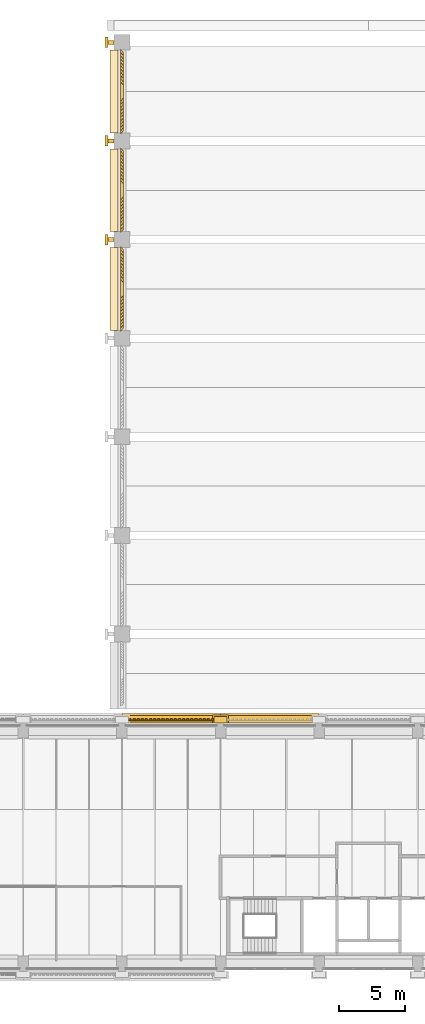
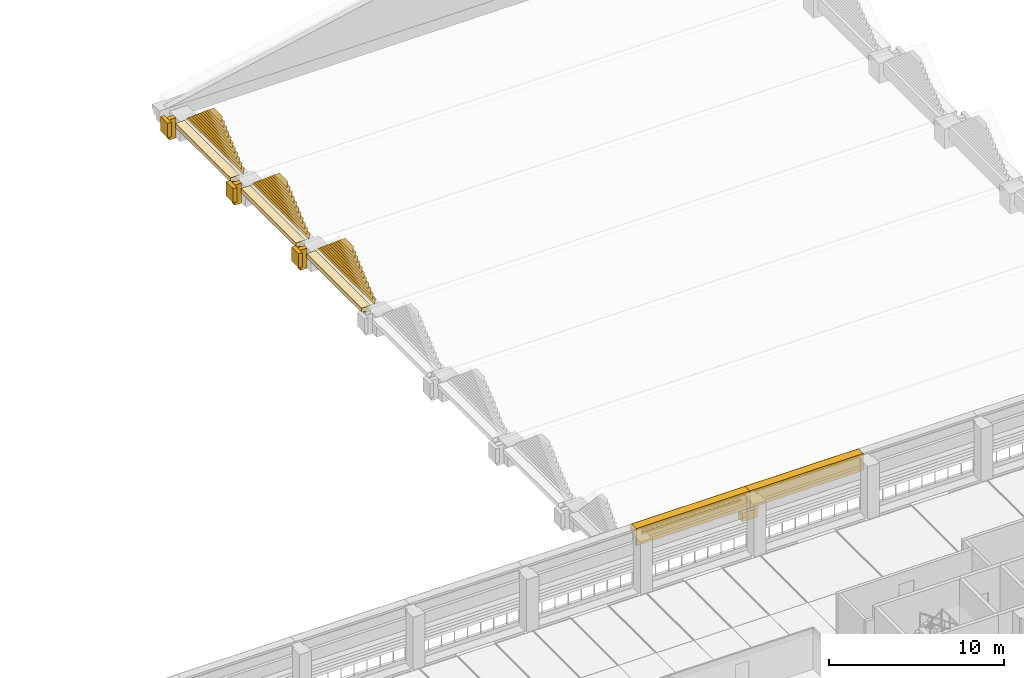
# One storey, part 53 of 71: 33 shading devices, 14 coverings.
"""IFC4 building model written with IfcOpenShell, lengths in metres."""

from ifc_helpers import new_model, si_unit, direction, frame, origin, place, context, subcontext, project, spatial, polyline, outline, extrude, material, layer, layer_set, type_object, element, save


model = new_model("IFC4")

# Units and contexts
model_context = context("Model", 3, precision=1e-05, world=origin(), true_north=direction((0.0, 1.0)))
body_context = subcontext(model_context, "Body", "Model", "MODEL_VIEW")
ifc_project = project(units=[si_unit("LENGTHUNIT", "METRE"), si_unit("AREAUNIT", "SQUARE_METRE"), si_unit("VOLUMEUNIT", "CUBIC_METRE"), si_unit("PLANEANGLEUNIT", "RADIAN"), si_unit("MASSUNIT", "GRAM", prefix="KILO")], contexts=[model_context])

# Site, building, storey
site_placement = place(None, origin())
site = spatial("IfcSite", under=ifc_project, at=site_placement, CompositionType="ELEMENT")
building_placement = place(site_placement, origin())
building = spatial("IfcBuilding", under=site, at=building_placement, Name="Cour d'Honneur Mobility Palace", CompositionType="ELEMENT")
storey_placement = place(building_placement, frame((0.0, 0.0, 15.60009765625)))
storey = spatial("IfcBuildingStorey", under=building, at=storey_placement, Name="L04", CompositionType="ELEMENT", Elevation=15.60009765625)

# Coverings
ifc_material_1 = material(Name="Cast limestone", Category="masonry")
ifc_layer_1 = layer(ifc_material_1, 0.14990234375)
ifc_layer_set_1 = layer_set([ifc_layer_1], Name="Cast limestone")
covering_type_1 = type_object("IfcCoveringType", Name="Dentil course", PredefinedType="CLADDING", material=ifc_layer_set_1)
covering_1_placement = place(storey_placement, frame((0.0, 0.0, 3.14990234375)))
element("IfcCovering", 1, at=covering_1_placement, inside=storey, type_object=covering_type_1, Name="Dentil course DC-105", PredefinedType="CLADDING", context=body_context, shape_type="SweptSolid", body=[
    extrude(outline(polyline([(69.449951171875, 63.300048828125), (62.85009765625, 63.300048828125), (62.85009765625, 63.330078125), (62.85009765625, 63.330078125), (62.928466796875, 63.330078125), (62.928466796875, 63.449951171875), (63.085693359375, 63.449951171875), (63.085693359375, 63.330078125), (63.164306640625, 63.330078125), (63.164306640625, 63.330078125), (63.242919921875, 63.330078125), (63.242919921875, 63.449951171875), (63.39990234375, 63.449951171875), (63.39990234375, 63.330078125), (63.478515625, 63.330078125), (63.478515625, 63.330078125), (63.55712890625, 63.330078125), (63.55712890625, 63.449951171875), (63.71435546875, 63.449951171875), (63.71435546875, 63.330078125), (63.79296875, 63.330078125), (63.79296875, 63.330078125), (63.871337890625, 63.330078125), (63.871337890625, 63.449951171875), (64.028564453125, 63.449951171875), (64.028564453125, 63.330078125), (64.107177734375, 63.330078125), (64.107177734375, 63.330078125), (64.185791015625, 63.330078125), (64.185791015625, 63.449951171875), (64.3427734375, 63.449951171875), (64.3427734375, 63.330078125), (64.42138671875, 63.330078125), (64.42138671875, 63.330078125), (64.5, 63.330078125), (64.5, 63.449951171875), (64.6572265625, 63.449951171875), (64.6572265625, 63.330078125), (64.735595703125, 63.330078125), (64.735595703125, 63.330078125), (64.814208984375, 63.330078125), (64.814208984375, 63.449951171875), (64.971435546875, 63.449951171875), (64.971435546875, 63.330078125), (65.050048828125, 63.330078125), (65.050048828125, 63.330078125), (65.128662109375, 63.330078125), (65.128662109375, 63.449951171875), (65.28564453125, 63.449951171875), (65.28564453125, 63.330078125), (65.3642578125, 63.330078125), (65.3642578125, 63.330078125), (65.44287109375, 63.330078125), (65.44287109375, 63.449951171875), (65.60009765625, 63.449951171875), (65.60009765625, 63.330078125), (65.678466796875, 63.330078125), (65.678466796875, 63.330078125), (65.757080078125, 63.330078125), (65.757080078125, 63.449951171875), (65.914306640625, 63.449951171875), (65.914306640625, 63.330078125), (65.992919921875, 63.330078125), (65.992919921875, 63.330078125), (66.071533203125, 63.330078125), (66.071533203125, 63.449951171875), (66.228515625, 63.449951171875), (66.228515625, 63.330078125), (66.30712890625, 63.330078125), (66.30712890625, 63.330078125), (66.3857421875, 63.330078125), (66.3857421875, 63.449951171875), (66.54296875, 63.449951171875), (66.54296875, 63.330078125), (66.621337890625, 63.330078125), (66.621337890625, 63.330078125), (66.699951171875, 63.330078125), (66.699951171875, 63.449951171875), (66.857177734375, 63.449951171875), (66.857177734375, 63.330078125), (66.935791015625, 63.330078125), (66.935791015625, 63.330078125), (67.014404296875, 63.330078125), (67.014404296875, 63.449951171875), (67.17138671875, 63.449951171875), (67.17138671875, 63.330078125), (67.25, 63.330078125), (67.25, 63.330078125), (67.32861328125, 63.330078125), (67.32861328125, 63.449951171875), (67.485595703125, 63.449951171875), (67.485595703125, 63.330078125), (67.564208984375, 63.330078125), (67.564208984375, 63.330078125), (67.642822265625, 63.330078125), (67.642822265625, 63.449951171875), (67.800048828125, 63.449951171875), (67.800048828125, 63.330078125), (67.878662109375, 63.330078125), (67.878662109375, 63.330078125), (67.95703125, 63.330078125), (67.95703125, 63.449951171875), (68.1142578125, 63.449951171875), (68.1142578125, 63.330078125), (68.19287109375, 63.330078125), (68.19287109375, 63.330078125), (68.271484375, 63.330078125), (68.271484375, 63.449951171875), (68.428466796875, 63.449951171875), (68.428466796875, 63.330078125), (68.507080078125, 63.330078125), (68.507080078125, 63.330078125), (68.585693359375, 63.330078125), (68.585693359375, 63.449951171875), (68.742919921875, 63.449951171875), (68.742919921875, 63.330078125), (68.821533203125, 63.330078125), (68.821533203125, 63.330078125), (68.89990234375, 63.330078125), (68.89990234375, 63.449951171875), (69.05712890625, 63.449951171875), (69.05712890625, 63.330078125), (69.1357421875, 63.330078125), (69.1357421875, 63.330078125), (69.21435546875, 63.330078125), (69.21435546875, 63.449951171875), (69.371337890625, 63.449951171875), (69.371337890625, 63.330078125), (69.449951171875, 63.330078125), (69.449951171875, 63.300048828125)])), origin(), (0.0, 0.0, 1.0), 0.14990234375),
])
ifc_material_2 = material(Name="Cast limestone", Category="masonry")
ifc_layer_2 = layer(ifc_material_2, 0.699951171875)
ifc_layer_set_2 = layer_set([ifc_layer_2], Name="Cast limestone")
covering_type_2 = type_object("IfcCoveringType", Name="Entablature", PredefinedType="CLADDING", material=ifc_layer_set_2)
for number, where, z_axis, x_axis, name in (
    (2, (77.39990234375, 63.14990234375, 2.599853515625), (1.0, 0.0, 0.0), (0.0, 1.0, 0.0), "Entablature EN-104"),
    (3, (69.89990234375, 63.14990234375, 2.599853515625), (1.0, 0.0, 0.0), (0.0, 1.0, 0.0), "Entablature EN-105"),
):
    element("IfcCovering", number, at=place(storey_placement, frame(where, z_axis=z_axis, x_axis=x_axis)), inside=storey, type_object=covering_type_2, Name=name, PredefinedType="CLADDING", context=body_context, shape_type="SweptSolid", body=[
        extrude(outline(polyline([(0.0, 0.0), (0.150146484375, 0.0), (0.150146484375, 0.699951171875), (0.7001953125, 0.699951171875), (0.7001953125, 1.10009765625), (0.550048828125, 1.199951171875), (0.0, 1.199951171875), (0.0, 0.0)])), origin(), (0.0, 0.0, -1.0), 7.5),
    ])
ifc_material_3 = material(Name="Cast limestone", Category="masonry")
ifc_layer_3 = layer(ifc_material_3, 0.39990234375)
ifc_layer_set_3 = layer_set([ifc_layer_3], Name="Cast limestone")
covering_type_3 = type_object("IfcCoveringType", Name="Hall eave cornice", PredefinedType="CLADDING", material=ifc_layer_set_3)
for number, where, z_axis, x_axis, name in (
    (4, (62.10009765625, 93.0, 1.39990234375), (0.0, -1.0, 0.0), (-1.0, 0.0, 0.0), "Hall eave cornice EB-W5"),
    (5, (62.10009765625, 100.5, 1.39990234375), (0.0, -1.0, 0.0), (-1.0, 0.0, 0.0), "Hall eave cornice EB-W6"),
    (6, (62.10009765625, 108.0, 1.39990234375), (0.0, -1.0, 0.0), (-1.0, 0.0, 0.0), "Hall eave cornice EB-W7"),
):
    element("IfcCovering", number, at=place(storey_placement, frame(where, z_axis=z_axis, x_axis=x_axis)), inside=storey, type_object=covering_type_3, Name=name, PredefinedType="CLADDING", context=body_context, shape_type="SweptSolid", body=[
        extrude(outline(polyline([(0.0, 0.0), (0.60009765625, 0.0), (0.60009765625, 0.300048828125), (0.35009765625, 0.300048828125), (0.35009765625, 0.550048828125), (0.0, 0.550048828125), (0.0, 0.0)])), origin(), (0.0, 0.0, -1.0), 6.300048828125),
    ])
ifc_material_4 = material(Name="Cast limestone", Category="masonry")
ifc_layer_4 = layer(ifc_material_4, 0.300048828125)
ifc_layer_set_4 = layer_set([ifc_layer_4], Name="Cast limestone")
covering_type_4 = type_object("IfcCoveringType", Name="Pier fin", PredefinedType="CLADDING", material=ifc_layer_set_4)
covering_2_placement = place(storey_placement, origin())
element("IfcCovering", 7, at=covering_2_placement, inside=storey, type_object=covering_type_4, Name="Pier fin HP-W6 L04", PredefinedType="CLADDING", context=body_context, shape_type="SweptSolid", body=[
    extrude(outline(polyline([(61.35009765625, 99.75), (61.800048828125, 99.75), (61.800048828125, 100.050048828125), (61.35009765625, 100.050048828125), (61.35009765625, 99.75)])), origin(), (0.0, 0.0, 1.0), 1.39990234375),
])
covering_3_placement = place(storey_placement, origin())
element("IfcCovering", 8, at=covering_3_placement, inside=storey, type_object=covering_type_4, Name="Pier fin HP-W7 L04", PredefinedType="CLADDING", context=body_context, shape_type="SweptSolid", body=[
    extrude(outline(polyline([(61.35009765625, 107.25), (61.800048828125, 107.25), (61.800048828125, 107.550048828125), (61.35009765625, 107.550048828125), (61.35009765625, 107.25)])), origin(), (0.0, 0.0, 1.0), 1.39990234375),
])
covering_4_placement = place(storey_placement, origin())
element("IfcCovering", 9, at=covering_4_placement, inside=storey, type_object=covering_type_4, Name="Pier fin HP-W8 L04", PredefinedType="CLADDING", context=body_context, shape_type="SweptSolid", body=[
    extrude(outline(polyline([(61.35009765625, 114.75), (61.800048828125, 114.75), (61.800048828125, 115.050048828125), (61.35009765625, 115.050048828125), (61.35009765625, 114.75)])), origin(), (0.0, 0.0, 1.0), 1.39990234375),
])
ifc_material_5 = material(Name="Cast limestone", Category="masonry")
ifc_layer_5 = layer(ifc_material_5, 0.1201171875)
ifc_layer_set_5 = layer_set([ifc_layer_5], Name="Cast limestone")
covering_type_5 = type_object("IfcCoveringType", Name="Pilaster capital", PredefinedType="CLADDING", material=ifc_layer_set_5)
covering_5_placement = place(storey_placement, frame((0.0, 0.0, 1.7998046875)))
element("IfcCovering", 10, at=covering_5_placement, inside=storey, type_object=covering_type_5, Name="Pilaster capital PK-143", PredefinedType="CLADDING", context=body_context, shape_type="SweptSolid", body=[
    extrude(outline(polyline([(70.39990234375, 63.14990234375), (69.39990234375, 63.14990234375), (69.39990234375, 63.6201171875), (70.39990234375, 63.6201171875), (70.39990234375, 63.14990234375)])), origin(), (0.0, 0.0, 1.0), 0.6201171875),
])
covering_6_placement = place(storey_placement, frame((0.0, 0.0, 2.419921875)))
element("IfcCovering", 11, at=covering_6_placement, inside=storey, type_object=covering_type_5, Name="Pilaster capital PK-144", PredefinedType="CLADDING", context=body_context, shape_type="SweptSolid", body=[
    extrude(outline(polyline([(70.5, 63.14990234375), (69.300048828125, 63.14990234375), (69.300048828125, 63.75), (70.5, 63.75), (70.5, 63.14990234375)])), origin(), (0.0, 0.0, 1.0), 0.179931640625),
])
covering_7_placement = place(storey_placement, frame((0.0, 0.0, 0.39990234375)))
element("IfcCovering", 12, at=covering_7_placement, inside=storey, type_object=covering_type_5, Name="Hall pilaster capital HP-W6", PredefinedType="CLADDING", context=body_context, shape_type="SweptSolid", body=[
    extrude(outline(polyline([(61.10009765625, 99.5), (61.35009765625, 99.5), (61.35009765625, 100.300048828125), (61.10009765625, 100.300048828125), (61.10009765625, 99.5)])), origin(), (0.0, 0.0, 1.0), 1.0),
])
covering_8_placement = place(storey_placement, frame((0.0, 0.0, 0.39990234375)))
element("IfcCovering", 13, at=covering_8_placement, inside=storey, type_object=covering_type_5, Name="Hall pilaster capital HP-W7", PredefinedType="CLADDING", context=body_context, shape_type="SweptSolid", body=[
    extrude(outline(polyline([(61.10009765625, 107.0), (61.35009765625, 107.0), (61.35009765625, 107.800048828125), (61.10009765625, 107.800048828125), (61.10009765625, 107.0)])), origin(), (0.0, 0.0, 1.0), 1.0),
])
covering_9_placement = place(storey_placement, frame((0.0, 0.0, 0.39990234375)))
element("IfcCovering", 14, at=covering_9_placement, inside=storey, type_object=covering_type_5, Name="Hall pilaster capital HP-W8", PredefinedType="CLADDING", context=body_context, shape_type="SweptSolid", body=[
    extrude(outline(polyline([(61.10009765625, 114.5), (61.35009765625, 114.5), (61.35009765625, 115.300048828125), (61.10009765625, 115.300048828125), (61.10009765625, 114.5)])), origin(), (0.0, 0.0, 1.0), 1.0),
])

# Shading devices
ifc_material_6 = material(Name="Terracotta", Category="masonry")
ifc_layer_6 = layer(ifc_material_6, 0.02490234375)
ifc_layer_set_6 = layer_set([ifc_layer_6], Name="Terracotta")
shading_device_type = type_object("IfcShadingDeviceType", Name="Terracotta louvre blade", PredefinedType="JALOUSIE", material=ifc_layer_set_6)
shading_device_1_placement = place(storey_placement, frame((62.2939453125, 92.9208984375, 1.41748046875), z_axis=(-0.707106781187, 0.0, 0.707106781187), x_axis=(0.0, 1.0, 0.0)))
element("IfcShadingDevice", 15, at=shading_device_1_placement, inside=storey, type_object=shading_device_type, Name="Gable louvre blade LV-3 W5 1", PredefinedType="JALOUSIE", context=body_context, shape_type="SweptSolid", body=[
    extrude(outline(polyline([(0.0, 0.0), (6.458251953125, 0.0), (6.208984375, -0.300037008228081), (0.249267578125, -0.300037008228081), (0.0, 0.0)])), origin(), (0.0, 0.0, -1.0), 0.02490234375),
])
shading_device_2_placement = place(storey_placement, frame((62.2939453125, 93.170166015625, 1.629638671875), z_axis=(-0.707106781187, 0.0, 0.707106781187), x_axis=(0.0, 1.0, 0.0)))
element("IfcShadingDevice", 16, at=shading_device_2_placement, inside=storey, type_object=shading_device_type, Name="Gable louvre blade LV-3 W5 2", PredefinedType="JALOUSIE", context=body_context, shape_type="SweptSolid", body=[
    extrude(outline(polyline([(0.0, 0.0), (5.959716796875, 0.0), (5.710205078125, -0.30003700822808094), (0.24951171875, -0.30003700822808094), (0.0, 0.0)])), origin(), (0.0, 0.0, -1.0), 0.02490234375),
])
shading_device_3_placement = place(storey_placement, frame((62.2939453125, 93.419677734375, 1.841796875), z_axis=(-0.707106781187, 0.0, 0.707106781187), x_axis=(0.0, 1.0, 0.0)))
element("IfcShadingDevice", 17, at=shading_device_3_placement, inside=storey, type_object=shading_device_type, Name="Gable louvre blade LV-3 W5 3", PredefinedType="JALOUSIE", context=body_context, shape_type="SweptSolid", body=[
    extrude(outline(polyline([(0.0, 0.0), (5.460693359375, 0.0), (5.211181640625, -0.300037008228081), (0.24951171875, -0.300037008228081), (0.0, 0.0)])), origin(), (0.0, 0.0, -1.0), 0.02490234375),
])
shading_device_4_placement = place(storey_placement, frame((62.2939453125, 93.669189453125, 2.053955078125), z_axis=(-0.707106781187, 0.0, 0.707106781187), x_axis=(0.0, 1.0, 0.0)))
element("IfcShadingDevice", 18, at=shading_device_4_placement, inside=storey, type_object=shading_device_type, Name="Gable louvre blade LV-3 W5 4", PredefinedType="JALOUSIE", context=body_context, shape_type="SweptSolid", body=[
    extrude(outline(polyline([(0.0, 0.0), (4.961669921875, 0.0), (4.712158203125, -0.300037008228081), (0.24951171875, -0.300037008228081), (0.0, 0.0)])), origin(), (0.0, 0.0, -1.0), 0.02490234375),
])
shading_device_5_placement = place(storey_placement, frame((62.2939453125, 93.918701171875, 2.26611328125), z_axis=(-0.707106781187, 0.0, 0.707106781187), x_axis=(0.0, 1.0, 0.0)))
element("IfcShadingDevice", 19, at=shading_device_5_placement, inside=storey, type_object=shading_device_type, Name="Gable louvre blade LV-3 W5 5", PredefinedType="JALOUSIE", context=body_context, shape_type="SweptSolid", body=[
    extrude(outline(polyline([(0.0, 0.0), (4.462646484375, 0.0), (4.213134765625, -0.30003700822808094), (0.24951171875, -0.30003700822808094), (0.0, 0.0)])), origin(), (0.0, 0.0, -1.0), 0.02490234375),
])
shading_device_6_placement = place(storey_placement, frame((62.2939453125, 94.168212890625, 2.478271484375), z_axis=(-0.707106781187, 0.0, 0.707106781187), x_axis=(0.0, 1.0, 0.0)))
element("IfcShadingDevice", 20, at=shading_device_6_placement, inside=storey, type_object=shading_device_type, Name="Gable louvre blade LV-3 W5 6", PredefinedType="JALOUSIE", context=body_context, shape_type="SweptSolid", body=[
    extrude(outline(polyline([(0.0, 0.0), (3.963623046875, 0.0), (3.71435546875, -0.300037008228081), (0.249267578125, -0.300037008228081), (0.0, 0.0)])), origin(), (0.0, 0.0, -1.0), 0.02490234375),
])
shading_device_7_placement = place(storey_placement, frame((62.2939453125, 94.41748046875, 2.6904296875), z_axis=(-0.707106781187, 0.0, 0.707106781187), x_axis=(0.0, 1.0, 0.0)))
element("IfcShadingDevice", 21, at=shading_device_7_placement, inside=storey, type_object=shading_device_type, Name="Gable louvre blade LV-3 W5 7", PredefinedType="JALOUSIE", context=body_context, shape_type="SweptSolid", body=[
    extrude(outline(polyline([(0.0, 0.0), (3.465087890625, 0.0), (3.215576171875, -0.30003700822808094), (0.24951171875, -0.30003700822808094), (0.0, 0.0)])), origin(), (0.0, 0.0, -1.0), 0.02490234375),
])
shading_device_8_placement = place(storey_placement, frame((62.2939453125, 94.6669921875, 2.902587890625), z_axis=(-0.706699578995, 0.0, 0.707513749017), x_axis=(0.0, 1.0, 0.0)))
element("IfcShadingDevice", 22, at=shading_device_8_placement, inside=storey, type_object=shading_device_type, Name="Gable louvre blade LV-3 W5 8", PredefinedType="JALOUSIE", context=body_context, shape_type="SweptSolid", body=[
    extrude(outline(polyline([(0.0, 0.0), (2.966064453125, 0.0), (2.716552734375, -0.29986442442957895), (0.24951171875, -0.29986442442957895), (0.0, 0.0)])), origin(), (0.0, 0.0, -1.0), 0.02490234375),
])
shading_device_9_placement = place(storey_placement, frame((62.2939453125, 94.91650390625, 3.114501953125), z_axis=(-0.707513281104, 0.0, 0.706700047447), x_axis=(0.0, 1.0, 0.0)))
element("IfcShadingDevice", 23, at=shading_device_9_placement, inside=storey, type_object=shading_device_type, Name="Gable louvre blade LV-3 W5 9", PredefinedType="JALOUSIE", context=body_context, shape_type="SweptSolid", body=[
    extrude(outline(polyline([(0.0, 0.0), (2.467041015625, 0.0), (2.217529296875, -0.30020969135542896), (0.24951171875, -0.30020969135542896), (0.0, 0.0)])), origin(), (0.0, 0.0, -1.0), 0.02490234375),
])
shading_device_10_placement = place(storey_placement, frame((62.2939453125, 95.166015625, 3.326904296875), z_axis=(-0.706699578995, 0.0, 0.707513749017), x_axis=(0.0, 1.0, 0.0)))
element("IfcShadingDevice", 24, at=shading_device_10_placement, inside=storey, type_object=shading_device_type, Name="Gable louvre blade LV-3 W5 10", PredefinedType="JALOUSIE", context=body_context, shape_type="SweptSolid", body=[
    extrude(outline(polyline([(0.0, 0.0), (1.968017578125, 0.0), (1.718505859375, -0.29986442442957895), (0.249267578125, -0.29986442442957895), (0.0, 0.0)])), origin(), (0.0, 0.0, -1.0), 0.02490234375),
])
shading_device_11_placement = place(storey_placement, frame((62.2939453125, 95.415283203125, 3.538818359375), z_axis=(-0.707106781187, 0.0, 0.707106781187), x_axis=(0.0, 1.0, 0.0)))
element("IfcShadingDevice", 25, at=shading_device_11_placement, inside=storey, type_object=shading_device_type, Name="Gable louvre blade LV-3 W5 11", PredefinedType="JALOUSIE", context=body_context, shape_type="SweptSolid", body=[
    extrude(outline(polyline([(0.0, 0.0), (1.46923828125, 0.0), (1.219970703125, -0.300037008228081), (0.24951171875, -0.300037008228081), (0.0, 0.0)])), origin(), (0.0, 0.0, -1.0), 0.02490234375),
])
shading_device_12_placement = place(storey_placement, frame((62.2939453125, 100.4208984375, 1.41748046875), z_axis=(-0.707106781187, 0.0, 0.707106781187), x_axis=(0.0, 1.0, 0.0)))
element("IfcShadingDevice", 26, at=shading_device_12_placement, inside=storey, type_object=shading_device_type, Name="Gable louvre blade LV-3 W6 1", PredefinedType="JALOUSIE", context=body_context, shape_type="SweptSolid", body=[
    extrude(outline(polyline([(0.0, 0.0), (6.458251953125, 0.0), (6.208984375, -0.300037008228081), (0.249267578125, -0.300037008228081), (0.0, 0.0)])), origin(), (0.0, 0.0, -1.0), 0.02490234375),
])
shading_device_13_placement = place(storey_placement, frame((62.2939453125, 100.670166015625, 1.629638671875), z_axis=(-0.707106781187, 0.0, 0.707106781187), x_axis=(0.0, 1.0, 0.0)))
element("IfcShadingDevice", 27, at=shading_device_13_placement, inside=storey, type_object=shading_device_type, Name="Gable louvre blade LV-3 W6 2", PredefinedType="JALOUSIE", context=body_context, shape_type="SweptSolid", body=[
    extrude(outline(polyline([(0.0, 0.0), (5.959716796875, 0.0), (5.710205078125, -0.30003700822808094), (0.24951171875, -0.30003700822808094), (0.0, 0.0)])), origin(), (0.0, 0.0, -1.0), 0.02490234375),
])
shading_device_14_placement = place(storey_placement, frame((62.2939453125, 100.919677734375, 1.841796875), z_axis=(-0.707106781187, 0.0, 0.707106781187), x_axis=(0.0, 1.0, 0.0)))
element("IfcShadingDevice", 28, at=shading_device_14_placement, inside=storey, type_object=shading_device_type, Name="Gable louvre blade LV-3 W6 3", PredefinedType="JALOUSIE", context=body_context, shape_type="SweptSolid", body=[
    extrude(outline(polyline([(0.0, 0.0), (5.460693359375, 0.0), (5.211181640625, -0.300037008228081), (0.24951171875, -0.300037008228081), (0.0, 0.0)])), origin(), (0.0, 0.0, -1.0), 0.02490234375),
])
shading_device_15_placement = place(storey_placement, frame((62.2939453125, 101.169189453125, 2.053955078125), z_axis=(-0.707106781187, 0.0, 0.707106781187), x_axis=(0.0, 1.0, 0.0)))
element("IfcShadingDevice", 29, at=shading_device_15_placement, inside=storey, type_object=shading_device_type, Name="Gable louvre blade LV-3 W6 4", PredefinedType="JALOUSIE", context=body_context, shape_type="SweptSolid", body=[
    extrude(outline(polyline([(0.0, 0.0), (4.961669921875, 0.0), (4.712158203125, -0.300037008228081), (0.24951171875, -0.300037008228081), (0.0, 0.0)])), origin(), (0.0, 0.0, -1.0), 0.02490234375),
])
shading_device_16_placement = place(storey_placement, frame((62.2939453125, 101.418701171875, 2.26611328125), z_axis=(-0.707106781187, 0.0, 0.707106781187), x_axis=(0.0, 1.0, 0.0)))
element("IfcShadingDevice", 30, at=shading_device_16_placement, inside=storey, type_object=shading_device_type, Name="Gable louvre blade LV-3 W6 5", PredefinedType="JALOUSIE", context=body_context, shape_type="SweptSolid", body=[
    extrude(outline(polyline([(0.0, 0.0), (4.462646484375, 0.0), (4.213134765625, -0.30003700822808094), (0.24951171875, -0.30003700822808094), (0.0, 0.0)])), origin(), (0.0, 0.0, -1.0), 0.02490234375),
])
shading_device_17_placement = place(storey_placement, frame((62.2939453125, 101.668212890625, 2.478271484375), z_axis=(-0.707106781187, 0.0, 0.707106781187), x_axis=(0.0, 1.0, 0.0)))
element("IfcShadingDevice", 31, at=shading_device_17_placement, inside=storey, type_object=shading_device_type, Name="Gable louvre blade LV-3 W6 6", PredefinedType="JALOUSIE", context=body_context, shape_type="SweptSolid", body=[
    extrude(outline(polyline([(0.0, 0.0), (3.963623046875, 0.0), (3.71435546875, -0.300037008228081), (0.249267578125, -0.300037008228081), (0.0, 0.0)])), origin(), (0.0, 0.0, -1.0), 0.02490234375),
])
shading_device_18_placement = place(storey_placement, frame((62.2939453125, 101.91748046875, 2.6904296875), z_axis=(-0.707106781187, 0.0, 0.707106781187), x_axis=(0.0, 1.0, 0.0)))
element("IfcShadingDevice", 32, at=shading_device_18_placement, inside=storey, type_object=shading_device_type, Name="Gable louvre blade LV-3 W6 7", PredefinedType="JALOUSIE", context=body_context, shape_type="SweptSolid", body=[
    extrude(outline(polyline([(0.0, 0.0), (3.465087890625, 0.0), (3.215576171875, -0.30003700822808094), (0.24951171875, -0.30003700822808094), (0.0, 0.0)])), origin(), (0.0, 0.0, -1.0), 0.02490234375),
])
shading_device_19_placement = place(storey_placement, frame((62.2939453125, 102.1669921875, 2.902587890625), z_axis=(-0.706699578995, 0.0, 0.707513749017), x_axis=(0.0, 1.0, 0.0)))
element("IfcShadingDevice", 33, at=shading_device_19_placement, inside=storey, type_object=shading_device_type, Name="Gable louvre blade LV-3 W6 8", PredefinedType="JALOUSIE", context=body_context, shape_type="SweptSolid", body=[
    extrude(outline(polyline([(0.0, 0.0), (2.966064453125, 0.0), (2.716552734375, -0.29986442442957895), (0.24951171875, -0.29986442442957895), (0.0, 0.0)])), origin(), (0.0, 0.0, -1.0), 0.02490234375),
])
shading_device_20_placement = place(storey_placement, frame((62.2939453125, 102.41650390625, 3.114501953125), z_axis=(-0.707513281104, 0.0, 0.706700047447), x_axis=(0.0, 1.0, 0.0)))
element("IfcShadingDevice", 34, at=shading_device_20_placement, inside=storey, type_object=shading_device_type, Name="Gable louvre blade LV-3 W6 9", PredefinedType="JALOUSIE", context=body_context, shape_type="SweptSolid", body=[
    extrude(outline(polyline([(0.0, 0.0), (2.467041015625, 0.0), (2.217529296875, -0.30020969135542896), (0.24951171875, -0.30020969135542896), (0.0, 0.0)])), origin(), (0.0, 0.0, -1.0), 0.02490234375),
])
shading_device_21_placement = place(storey_placement, frame((62.2939453125, 102.666015625, 3.326904296875), z_axis=(-0.706699578995, 0.0, 0.707513749017), x_axis=(0.0, 1.0, 0.0)))
element("IfcShadingDevice", 35, at=shading_device_21_placement, inside=storey, type_object=shading_device_type, Name="Gable louvre blade LV-3 W6 10", PredefinedType="JALOUSIE", context=body_context, shape_type="SweptSolid", body=[
    extrude(outline(polyline([(0.0, 0.0), (1.968017578125, 0.0), (1.718505859375, -0.29986442442957895), (0.249267578125, -0.29986442442957895), (0.0, 0.0)])), origin(), (0.0, 0.0, -1.0), 0.02490234375),
])
shading_device_22_placement = place(storey_placement, frame((62.2939453125, 102.915283203125, 3.538818359375), z_axis=(-0.707106781187, 0.0, 0.707106781187), x_axis=(0.0, 1.0, 0.0)))
element("IfcShadingDevice", 36, at=shading_device_22_placement, inside=storey, type_object=shading_device_type, Name="Gable louvre blade LV-3 W6 11", PredefinedType="JALOUSIE", context=body_context, shape_type="SweptSolid", body=[
    extrude(outline(polyline([(0.0, 0.0), (1.46923828125, 0.0), (1.219970703125, -0.300037008228081), (0.24951171875, -0.300037008228081), (0.0, 0.0)])), origin(), (0.0, 0.0, -1.0), 0.02490234375),
])
shading_device_23_placement = place(storey_placement, frame((62.2939453125, 107.9208984375, 1.41748046875), z_axis=(-0.707106781187, 0.0, 0.707106781187), x_axis=(0.0, 1.0, 0.0)))
element("IfcShadingDevice", 37, at=shading_device_23_placement, inside=storey, type_object=shading_device_type, Name="Gable louvre blade LV-3 W7 1", PredefinedType="JALOUSIE", context=body_context, shape_type="SweptSolid", body=[
    extrude(outline(polyline([(0.0, 0.0), (6.458251953125, 0.0), (6.208984375, -0.300037008228081), (0.249267578125, -0.300037008228081), (0.0, 0.0)])), origin(), (0.0, 0.0, -1.0), 0.02490234375),
])
shading_device_24_placement = place(storey_placement, frame((62.2939453125, 108.170166015625, 1.629638671875), z_axis=(-0.707106781187, 0.0, 0.707106781187), x_axis=(0.0, 1.0, 0.0)))
element("IfcShadingDevice", 38, at=shading_device_24_placement, inside=storey, type_object=shading_device_type, Name="Gable louvre blade LV-3 W7 2", PredefinedType="JALOUSIE", context=body_context, shape_type="SweptSolid", body=[
    extrude(outline(polyline([(0.0, 0.0), (5.959716796875, 0.0), (5.710205078125, -0.30003700822808094), (0.24951171875, -0.30003700822808094), (0.0, 0.0)])), origin(), (0.0, 0.0, -1.0), 0.02490234375),
])
shading_device_25_placement = place(storey_placement, frame((62.2939453125, 108.419677734375, 1.841796875), z_axis=(-0.707106781187, 0.0, 0.707106781187), x_axis=(0.0, 1.0, 0.0)))
element("IfcShadingDevice", 39, at=shading_device_25_placement, inside=storey, type_object=shading_device_type, Name="Gable louvre blade LV-3 W7 3", PredefinedType="JALOUSIE", context=body_context, shape_type="SweptSolid", body=[
    extrude(outline(polyline([(0.0, 0.0), (5.460693359375, 0.0), (5.211181640625, -0.300037008228081), (0.24951171875, -0.300037008228081), (0.0, 0.0)])), origin(), (0.0, 0.0, -1.0), 0.02490234375),
])
shading_device_26_placement = place(storey_placement, frame((62.2939453125, 108.669189453125, 2.053955078125), z_axis=(-0.707106781187, 0.0, 0.707106781187), x_axis=(0.0, 1.0, 0.0)))
element("IfcShadingDevice", 40, at=shading_device_26_placement, inside=storey, type_object=shading_device_type, Name="Gable louvre blade LV-3 W7 4", PredefinedType="JALOUSIE", context=body_context, shape_type="SweptSolid", body=[
    extrude(outline(polyline([(0.0, 0.0), (4.961669921875, 0.0), (4.712158203125, -0.300037008228081), (0.24951171875, -0.300037008228081), (0.0, 0.0)])), origin(), (0.0, 0.0, -1.0), 0.02490234375),
])
shading_device_27_placement = place(storey_placement, frame((62.2939453125, 108.918701171875, 2.26611328125), z_axis=(-0.707106781187, 0.0, 0.707106781187), x_axis=(0.0, 1.0, 0.0)))
element("IfcShadingDevice", 41, at=shading_device_27_placement, inside=storey, type_object=shading_device_type, Name="Gable louvre blade LV-3 W7 5", PredefinedType="JALOUSIE", context=body_context, shape_type="SweptSolid", body=[
    extrude(outline(polyline([(0.0, 0.0), (4.462646484375, 0.0), (4.213134765625, -0.30003700822808094), (0.24951171875, -0.30003700822808094), (0.0, 0.0)])), origin(), (0.0, 0.0, -1.0), 0.02490234375),
])
shading_device_28_placement = place(storey_placement, frame((62.2939453125, 109.168212890625, 2.478271484375), z_axis=(-0.707106781187, 0.0, 0.707106781187), x_axis=(0.0, 1.0, 0.0)))
element("IfcShadingDevice", 42, at=shading_device_28_placement, inside=storey, type_object=shading_device_type, Name="Gable louvre blade LV-3 W7 6", PredefinedType="JALOUSIE", context=body_context, shape_type="SweptSolid", body=[
    extrude(outline(polyline([(0.0, 0.0), (3.963623046875, 0.0), (3.71435546875, -0.300037008228081), (0.249267578125, -0.300037008228081), (0.0, 0.0)])), origin(), (0.0, 0.0, -1.0), 0.02490234375),
])
shading_device_29_placement = place(storey_placement, frame((62.2939453125, 109.41748046875, 2.6904296875), z_axis=(-0.707106781187, 0.0, 0.707106781187), x_axis=(0.0, 1.0, 0.0)))
element("IfcShadingDevice", 43, at=shading_device_29_placement, inside=storey, type_object=shading_device_type, Name="Gable louvre blade LV-3 W7 7", PredefinedType="JALOUSIE", context=body_context, shape_type="SweptSolid", body=[
    extrude(outline(polyline([(0.0, 0.0), (3.465087890625, 0.0), (3.215576171875, -0.30003700822808094), (0.24951171875, -0.30003700822808094), (0.0, 0.0)])), origin(), (0.0, 0.0, -1.0), 0.02490234375),
])
shading_device_30_placement = place(storey_placement, frame((62.2939453125, 109.6669921875, 2.902587890625), z_axis=(-0.706699578995, 0.0, 0.707513749017), x_axis=(0.0, 1.0, 0.0)))
element("IfcShadingDevice", 44, at=shading_device_30_placement, inside=storey, type_object=shading_device_type, Name="Gable louvre blade LV-3 W7 8", PredefinedType="JALOUSIE", context=body_context, shape_type="SweptSolid", body=[
    extrude(outline(polyline([(0.0, 0.0), (2.966064453125, 0.0), (2.716552734375, -0.29986442442957895), (0.24951171875, -0.29986442442957895), (0.0, 0.0)])), origin(), (0.0, 0.0, -1.0), 0.02490234375),
])
shading_device_31_placement = place(storey_placement, frame((62.2939453125, 109.91650390625, 3.114501953125), z_axis=(-0.707513281104, 0.0, 0.706700047447), x_axis=(0.0, 1.0, 0.0)))
element("IfcShadingDevice", 45, at=shading_device_31_placement, inside=storey, type_object=shading_device_type, Name="Gable louvre blade LV-3 W7 9", PredefinedType="JALOUSIE", context=body_context, shape_type="SweptSolid", body=[
    extrude(outline(polyline([(0.0, 0.0), (2.467041015625, 0.0), (2.217529296875, -0.30020969135542896), (0.24951171875, -0.30020969135542896), (0.0, 0.0)])), origin(), (0.0, 0.0, -1.0), 0.02490234375),
])
shading_device_32_placement = place(storey_placement, frame((62.2939453125, 110.166015625, 3.326904296875), z_axis=(-0.706699578995, 0.0, 0.707513749017), x_axis=(0.0, 1.0, 0.0)))
element("IfcShadingDevice", 46, at=shading_device_32_placement, inside=storey, type_object=shading_device_type, Name="Gable louvre blade LV-3 W7 10", PredefinedType="JALOUSIE", context=body_context, shape_type="SweptSolid", body=[
    extrude(outline(polyline([(0.0, 0.0), (1.968017578125, 0.0), (1.718505859375, -0.29986442442957895), (0.249267578125, -0.29986442442957895), (0.0, 0.0)])), origin(), (0.0, 0.0, -1.0), 0.02490234375),
])
shading_device_33_placement = place(storey_placement, frame((62.2939453125, 110.415283203125, 3.538818359375), z_axis=(-0.707106781187, 0.0, 0.707106781187), x_axis=(0.0, 1.0, 0.0)))
element("IfcShadingDevice", 47, at=shading_device_33_placement, inside=storey, type_object=shading_device_type, Name="Gable louvre blade LV-3 W7 11", PredefinedType="JALOUSIE", context=body_context, shape_type="SweptSolid", body=[
    extrude(outline(polyline([(0.0, 0.0), (1.46923828125, 0.0), (1.219970703125, -0.300037008228081), (0.24951171875, -0.300037008228081), (0.0, 0.0)])), origin(), (0.0, 0.0, -1.0), 0.02490234375),
])

save(model, "model.ifc")
